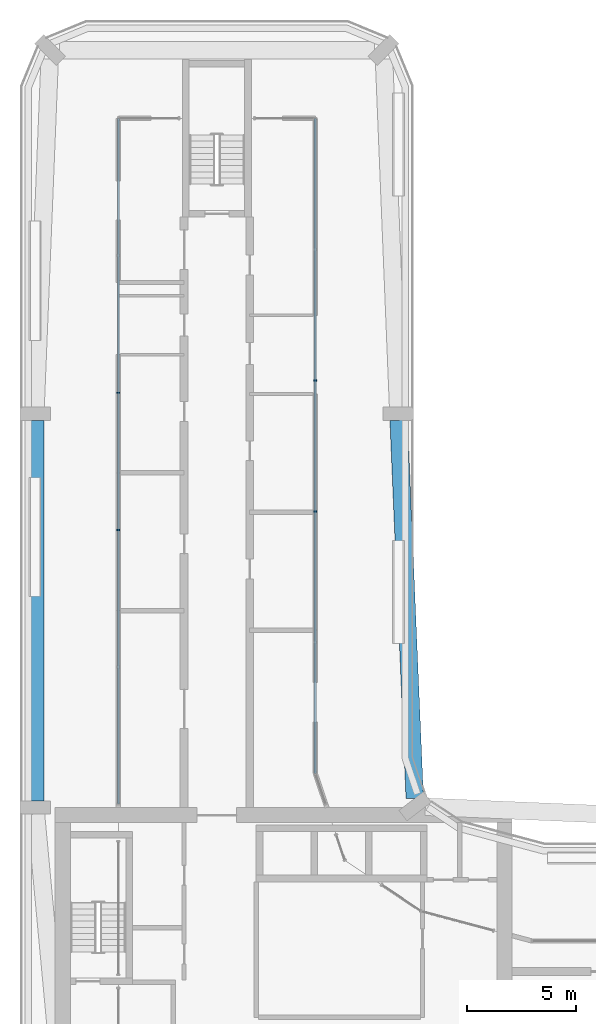
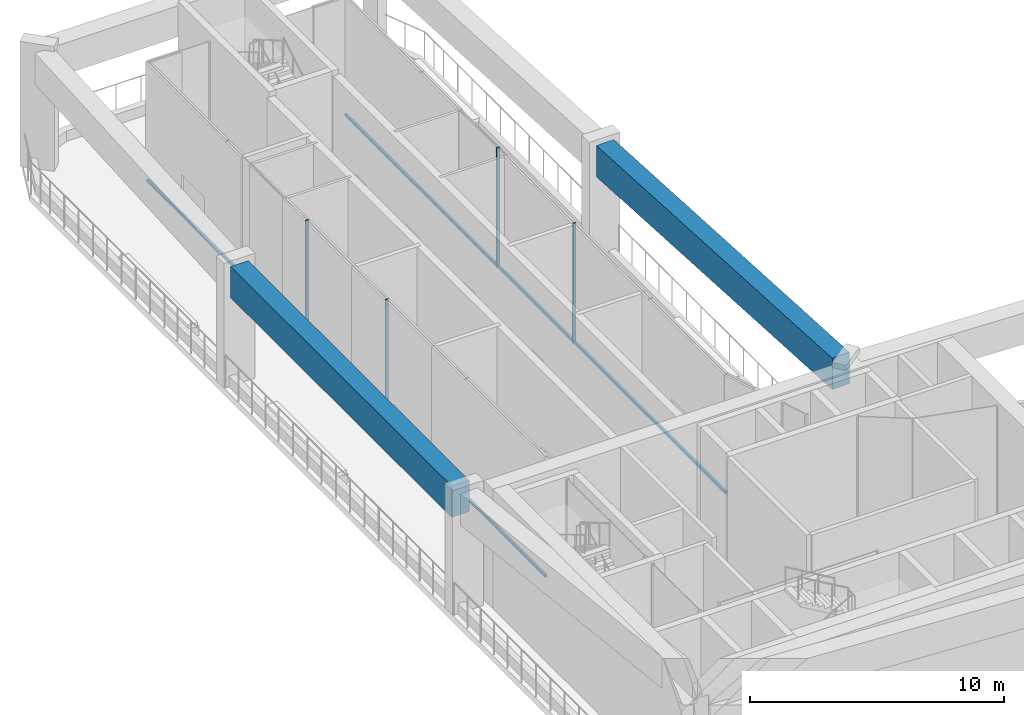
# One storey, part 6 of 24: 6 members, 2 beams, 2 elements without a shape of their own.
"""IFC4 building model written with IfcOpenShell, lengths in metres."""

import ifcopenshell
import ifcopenshell.guid

model = None  # the IFC model being written
_history = None  # IfcOwnerHistory: only IFC2X3 demands one
_inside = {}  # id of a spatial element -> (the spatial element, [elements in it])
_under = {}  # id of a project, library or spatial element -> (it, [spatial elements below it])
_declared = {}  # id of a project -> (the project, [libraries it declares])
_typed = {}  # id of a type object -> (the type object, [elements of that type])
_made_of = {}  # id of a material, layer set ... -> (it, [elements and type objects made of it])


def new_model(schema):
    """Start an empty IFC model of exactly this schema.

    Asked for "IFC4X3", IfcOpenShell would pick the latest addendum, in which some entities
    have other attributes; the version numbers below select the first issue.
    IFC2X3 requires an IfcOwnerHistory on every rooted entity: one is made here for all.
    """
    global model, _history
    if schema == "IFC4X3":
        model = ifcopenshell.file(schema_version=(4, 3, 0, 0))
    else:
        model = ifcopenshell.file(schema=schema)
    _inside.clear()
    _under.clear()
    _declared.clear()
    _typed.clear()
    _made_of.clear()
    _history = None
    if model.schema == "IFC2X3":
        org = make("IfcOrganization", Name="unknown")
        user = make(
            "IfcPersonAndOrganization",
            ThePerson=make("IfcPerson", FamilyName="unknown"),
            TheOrganization=org,
        )
        app = make(
            "IfcApplication",
            ApplicationDeveloper=org,
            Version="unknown",
            ApplicationFullName="unknown",
            ApplicationIdentifier="unknown",
        )
        _history = make(
            "IfcOwnerHistory",
            OwningUser=user,
            OwningApplication=app,
            ChangeAction="ADDED",
            CreationDate=0,
        )
    return model


def make(cls, **values):
    """One entity of the class cls with the attributes given. An attribute that is None is left unset."""
    return model.create_entity(
        cls, **{name: value for name, value in values.items() if value is not None}
    )


def rooted(cls, **values):
    """An entity with a GlobalId (a new one), such as an element, a storey or a relation."""
    return make(cls, GlobalId=ifcopenshell.guid.new(), OwnerHistory=_history, **values)


def si_unit(unit_type, name, prefix=None):
    """IfcSIUnit, for example si_unit("LENGTHUNIT", "METRE", prefix="MILLI")."""
    return make("IfcSIUnit", UnitType=unit_type, Prefix=prefix, Name=name)


def assignment(units):
    """IfcUnitAssignment: the units of a project."""
    return None if units is None else make("IfcUnitAssignment", Units=units)


def point(xyz):
    """IfcCartesianPoint."""
    return None if xyz is None else make("IfcCartesianPoint", Coordinates=xyz)


def direction(xyz):
    """IfcDirection."""
    return None if xyz is None else make("IfcDirection", DirectionRatios=xyz)


def frame(location, z_axis=None, x_axis=None):
    """IfcAxis2Placement3D, a coordinate frame: its origin and axes. An axis left out is left unset."""
    return make(
        "IfcAxis2Placement3D",
        Location=point(location),
        Axis=direction(z_axis),
        RefDirection=direction(x_axis),
    )


def frame_2d(location, x_axis=None):
    """IfcAxis2Placement2D, a coordinate frame in the plane: its origin and x axis."""
    return make(
        "IfcAxis2Placement2D", Location=point(location), RefDirection=direction(x_axis)
    )


def origin():
    """The frame at (0, 0, 0) with its axes left unset."""
    return frame((0.0, 0.0, 0.0))


def origin_2d():
    """The frame at (0, 0) in the plane with its x axis left unset."""
    return frame_2d((0.0, 0.0))


def place(relative_to, where):
    """IfcLocalPlacement: puts the frame where relative to a parent placement (None: the world)."""
    return make(
        "IfcLocalPlacement", PlacementRelTo=relative_to, RelativePlacement=where
    )


def context(
    kind, dimensions, precision=None, world=None, true_north=None, identifier=None
):
    """IfcGeometricRepresentationContext, for example the 3D "Model" context."""
    return make(
        "IfcGeometricRepresentationContext",
        ContextIdentifier=identifier,
        ContextType=kind,
        CoordinateSpaceDimension=dimensions,
        Precision=precision,
        WorldCoordinateSystem=world,
        TrueNorth=true_north,
    )


def subcontext(parent, identifier, kind, view, scale=None):
    """IfcGeometricRepresentationSubContext, for example "Body" below "Model"."""
    return make(
        "IfcGeometricRepresentationSubContext",
        ContextIdentifier=identifier,
        ContextType=kind,
        ParentContext=parent,
        TargetScale=scale,
        TargetView=view,
    )


def project(units=None, contexts=None):
    """IfcProject with its units and contexts."""
    return rooted(
        "IfcProject",
        Name="project",
        RepresentationContexts=contexts,
        UnitsInContext=assignment(units),
    )


def spatial(cls, under=None, at=None, **own):
    """A site, building, storey or space (cls), placed at a placement, below another one or the project."""
    s = rooted(cls, ObjectPlacement=at, **own)
    if under is not None:
        _under.setdefault(under.id(), (under, []))[1].append(s)
    return s


def profile(cls, at=None, kind="AREA", **sizes):
    """A parametric profile (cls). Its sizes go by their IFC names, for example OverallWidth=200.0."""
    return make(cls, ProfileType=kind, Position=at, **sizes)


def rectangle(**sizes):
    """IfcRectangleProfileDef."""
    return profile("IfcRectangleProfileDef", **sizes)


def extrude(swept, where, along, depth):
    """IfcExtrudedAreaSolid: the profile swept, set in the frame where, extruded along a direction by depth."""
    return make(
        "IfcExtrudedAreaSolid",
        SweptArea=swept,
        Position=where,
        ExtrudedDirection=direction(along),
        Depth=depth,
    )


def shape(context_of_items, identifier, shape_type, items):
    """IfcShapeRepresentation: the items that make up one representation, for example the "Body"."""
    return make(
        "IfcShapeRepresentation",
        ContextOfItems=context_of_items,
        RepresentationIdentifier=identifier,
        RepresentationType=shape_type,
        Items=items,
    )


def material(Name=None, Category=None):
    """IfcMaterial."""
    return make("IfcMaterial", Name=Name, Category=Category)


def layer(
    of_material, thickness, ventilated=None, Name=None, Category=None, Priority=None
):
    """IfcMaterialLayer: one layer of a wall or slab, of a material (None: an air gap)."""
    return make(
        "IfcMaterialLayer",
        Material=of_material,
        LayerThickness=thickness,
        IsVentilated=ventilated,
        Name=Name,
        Category=Category,
        Priority=Priority,
    )


def layer_set(layers, Name=None):
    """IfcMaterialLayerSet."""
    return make("IfcMaterialLayerSet", MaterialLayers=layers, LayerSetName=Name)


def material_profile(
    of_material, cross_section, Name=None, Category=None, Priority=None
):
    """IfcMaterialProfile: a cross section and its material."""
    return make(
        "IfcMaterialProfile",
        Name=Name,
        Material=of_material,
        Profile=cross_section,
        Priority=Priority,
        Category=Category,
    )


def profile_set(profiles, Name=None, composite=None):
    """IfcMaterialProfileSet."""
    return make(
        "IfcMaterialProfileSet",
        Name=Name,
        MaterialProfiles=profiles,
        CompositeProfile=composite,
    )


def made_of(thing, what):
    """Note that an element or type object is made of a material, layer set ...; save() writes the relation."""
    if what is not None:
        _made_of.setdefault(what.id(), (what, []))[1].append(thing)
    return thing


def type_object(cls, material=None, **own):
    """A type object (cls), such as IfcWallType, which elements share."""
    return made_of(rooted(cls, **own), material)


def element(
    cls,
    number,
    at=None,
    inside=None,
    cuts=None,
    type_object=None,
    material=None,
    context=None,
    identifier="Body",
    shape_type=None,
    held_by="IfcProductDefinitionShape",
    body=None,
    shapes=None,
    **own,
):
    """One element of the class cls, such as IfcWall. Its Tag is "e" and its number.

    at: its placement. inside: the storey or other place that contains it. cuts: it is an
    opening in that element (IfcRelVoidsElement). A single representation is given by context,
    identifier, shape_type and body (its items); several are given by shapes. held_by: the class
    of the entity that holds the representations. save() writes the other relations.
    """
    e = rooted(cls, Tag="e%d" % number, ObjectPlacement=at, **own)
    if body is not None:
        shapes = [shape(context, identifier, shape_type, body)]
    if shapes is not None:
        e.Representation = make(held_by, Representations=shapes)
    if inside is not None:
        _inside.setdefault(inside.id(), (inside, []))[1].append(e)
    if cuts is not None:
        rooted(
            "IfcRelVoidsElement", RelatingBuildingElement=cuts, RelatedOpeningElement=e
        )
    if type_object is not None:
        _typed.setdefault(type_object.id(), (type_object, []))[1].append(e)
    return made_of(e, material)


def aggregate(whole, parts):
    """IfcRelAggregates: a whole, such as a stair, and the parts it consists of."""
    return rooted("IfcRelAggregates", RelatingObject=whole, RelatedObjects=parts)


def save(model, path):
    """Write the relations noted so far, then the file.

    IfcRelAggregates (storeys below a building ...), IfcRelContainedInSpatialStructure (elements
    in a storey), IfcRelDefinesByType, IfcRelAssociatesMaterial and IfcRelDeclares: one each for
    every whole, place, type object, material and project.
    """
    for whole, parts in _under.values():
        aggregate(whole, parts)
    for where, things in _inside.values():
        rooted(
            "IfcRelContainedInSpatialStructure",
            RelatedElements=things,
            RelatingStructure=where,
        )
    for kind, things in _typed.values():
        rooted("IfcRelDefinesByType", RelatedObjects=things, RelatingType=kind)
    for what, things in _made_of.values():
        rooted("IfcRelAssociatesMaterial", RelatedObjects=things, RelatingMaterial=what)
    for by, libraries in _declared.values():
        rooted("IfcRelDeclares", RelatingContext=by, RelatedDefinitions=libraries)
    model.write(path)


model = new_model("IFC4")

# Units and contexts
model_context = context("Model", 3, precision=1e-05, world=origin(), true_north=direction((0.0, 1.0)))
body_context = subcontext(model_context, "Body", "Model", "MODEL_VIEW")
ifc_project = project(units=[si_unit("LENGTHUNIT", "METRE"), si_unit("AREAUNIT", "SQUARE_METRE"), si_unit("VOLUMEUNIT", "CUBIC_METRE"), si_unit("PLANEANGLEUNIT", "RADIAN"), si_unit("MASSUNIT", "GRAM", prefix="KILO")], contexts=[model_context])

# Site, building, storey
site_placement = place(None, origin())
site = spatial("IfcSite", under=ifc_project, at=site_placement, CompositionType="ELEMENT")
building_placement = place(site_placement, origin())
building = spatial("IfcBuilding", under=site, at=building_placement, Name="Plateau Cross Towers", CompositionType="ELEMENT")
storey_placement = place(building_placement, frame((0.0, 0.0, 72.300048828125)))
storey = spatial("IfcBuildingStorey", under=building, at=storey_placement, Name="L18", CompositionType="ELEMENT", Elevation=72.300048828125)

# Beams
ifc_material_1 = material(Name="Concrete C60/75", Category="concrete")
ifc_material_profile_1 = material_profile(ifc_material_1, rectangle(XDim=0.800048828125, YDim=1.5, at=origin_2d()), Name="RC 800x1500")
ifc_profile_set_1 = profile_set([ifc_material_profile_1], Name="Concrete C60/75")
beam_type = type_object("IfcBeamType", Name="Belt beam RC 800x1500", PredefinedType="BEAM", material=ifc_profile_set_1)
beam_1_placement = place(storey_placement, frame((18.049072265625, 18.415771484375, 5.0), z_axis=(-0.042562671584, 0.999093798894, 0.0), x_axis=(-0.999093798894, -0.042562671584, 0.0)))
element("IfcBeam", 1, at=beam_1_placement, inside=storey, type_object=beam_type, Name="BELT-L18-06", PredefinedType="BEAM", context=body_context, shape_type="SweptSolid", body=[
    extrude(rectangle(XDim=0.800048828125, YDim=1.5, at=origin_2d()), origin(), (0.0, 0.0, 1.0), 17.2998046875),
])
beam_2_placement = place(storey_placement, frame((0.699951171875, 35.699951171875, 5.0), z_axis=(0.0, -1.0, 0.0), x_axis=(1.0, 0.0, 0.0)))
element("IfcBeam", 2, at=beam_2_placement, inside=storey, type_object=beam_type, Name="BELT-L18-10", PredefinedType="BEAM", context=body_context, shape_type="SweptSolid", body=[
    extrude(rectangle(XDim=0.800048828125, YDim=1.5, at=origin_2d()), origin(), (0.0, 0.0, 1.0), 17.39990234375),
])

# Curtain wall, members
ifc_material_2 = material(Name="Dark low-iron glass", Category="glass")
ifc_layer = layer(ifc_material_2, 0.239990234375)
ifc_layer_set = layer_set([ifc_layer], Name="Dark low-iron glass")
curtain_wall_type = type_object("IfcCurtainWallType", Name="Curtain wall flush unitised CW-B", PredefinedType="NOTDEFINED", material=ifc_layer_set)
curtain_wall_1_placement = place(storey_placement, origin())
curtain_wall_1 = element("IfcCurtainWall", 3, at=curtain_wall_1_placement, inside=storey, type_object=curtain_wall_type, Name="ENV/A/L18/inner0_45_182", PredefinedType="NOTDEFINED")
ifc_material_3 = material(Name="Black anodised aluminium", Category="aluminium")
ifc_material_profile_2 = material_profile(ifc_material_3, rectangle(XDim=0.06005859375, YDim=0.139892578125, at=origin_2d()), Name="MULLION 60x140")
ifc_profile_set_2 = profile_set([ifc_material_profile_2], Name="Black anodised aluminium")
member_type_1 = type_object("IfcMemberType", Name="Mullion 60x140 flush unitised", PredefinedType="MULLION", material=ifc_profile_set_2)
member_1_placement = place(storey_placement, frame((4.5, 30.68994140625, 0.0), z_axis=(0.0, 0.0, 1.0), x_axis=(0.0, 1.0, 0.0)))
member_1 = element("IfcMember", 4, at=member_1_placement, type_object=member_type_1, Name="CW-B mullion 3", PredefinedType="MULLION", context=body_context, shape_type="SweptSolid", body=[
    extrude(rectangle(XDim=0.06005859375, YDim=0.139892578125, at=origin_2d()), origin(), (0.0, 0.0, 1.0), 5.75),
])
member_2_placement = place(storey_placement, frame((4.5, 36.9599609375, 0.0), z_axis=(0.0, 0.0, 1.0), x_axis=(0.0, 1.0, 0.0)))
member_2 = element("IfcMember", 5, at=member_2_placement, type_object=member_type_1, Name="CW-B mullion 4", PredefinedType="MULLION", context=body_context, shape_type="SweptSolid", body=[
    extrude(rectangle(XDim=0.06005859375, YDim=0.139892578125, at=origin_2d()), origin(), (0.0, 0.0, 1.0), 5.75),
])

curtain_wall_2_placement = place(storey_placement, origin())
curtain_wall_2 = element("IfcCurtainWall", 6, at=curtain_wall_2_placement, inside=storey, type_object=curtain_wall_type, Name="ENV/A/L18/inner0_135_495", PredefinedType="NOTDEFINED")
member_3_placement = place(storey_placement, frame((13.5, 37.523681640625, 0.0), z_axis=(0.0, 0.0, 1.0), x_axis=(0.0, -1.0, 0.0)))
member_3 = element("IfcMember", 7, at=member_3_placement, type_object=member_type_1, Name="CW-B mullion 3", PredefinedType="MULLION", context=body_context, shape_type="SweptSolid", body=[
    extrude(rectangle(XDim=0.06005859375, YDim=0.139892578125, at=origin_2d()), origin(), (0.0, 0.0, 1.0), 5.75),
])
member_4_placement = place(storey_placement, frame((13.5, 31.53564453125, 0.0), z_axis=(0.0, 0.0, 1.0), x_axis=(0.0, -1.0, 0.0)))
member_4 = element("IfcMember", 8, at=member_4_placement, type_object=member_type_1, Name="CW-B mullion 4", PredefinedType="MULLION", context=body_context, shape_type="SweptSolid", body=[
    extrude(rectangle(XDim=0.06005859375, YDim=0.139892578125, at=origin_2d()), origin(), (0.0, 0.0, 1.0), 5.75),
])

# Member
ifc_material_profile_3 = material_profile(ifc_material_3, rectangle(XDim=0.10009765625, YDim=0.1201171875, at=origin_2d()), Name="TRANSOM 100x120")
ifc_profile_set_3 = profile_set([ifc_material_profile_3], Name="Black anodised aluminium")
member_type_2 = type_object("IfcMemberType", Name="Transom 100x120 flush unitised", PredefinedType="USERDEFINED", material=ifc_profile_set_3)
member_5_placement = place(storey_placement, frame((4.5, 18.14990234375, 0.06005859375), z_axis=(0.0, 1.0, 0.0), x_axis=(-1.0, 0.0, 0.0)))
member_5 = element("IfcMember", 9, at=member_5_placement, type_object=member_type_2, Name="CW-B transom", ObjectType="TRANSOM", PredefinedType="USERDEFINED", context=body_context, shape_type="SweptSolid", body=[
    extrude(rectangle(XDim=0.10009765625, YDim=0.1201171875, at=origin_2d()), origin(), (0.0, 0.0, 1.0), 31.35009765625),
])

aggregate(curtain_wall_1, [member_1, member_2, member_5])

member_6_placement = place(storey_placement, frame((13.5, 49.5, 0.06005859375), z_axis=(0.0, -1.0, 0.0), x_axis=(1.0, 0.0, 0.0)))
member_6 = element("IfcMember", 10, at=member_6_placement, type_object=member_type_2, Name="CW-B transom", ObjectType="TRANSOM", PredefinedType="USERDEFINED", context=body_context, shape_type="SweptSolid", body=[
    extrude(rectangle(XDim=0.10009765625, YDim=0.1201171875, at=origin_2d()), origin(), (0.0, 0.0, 1.0), 29.940673828125),
])

aggregate(curtain_wall_2, [member_3, member_4, member_6])

save(model, "model.ifc")
